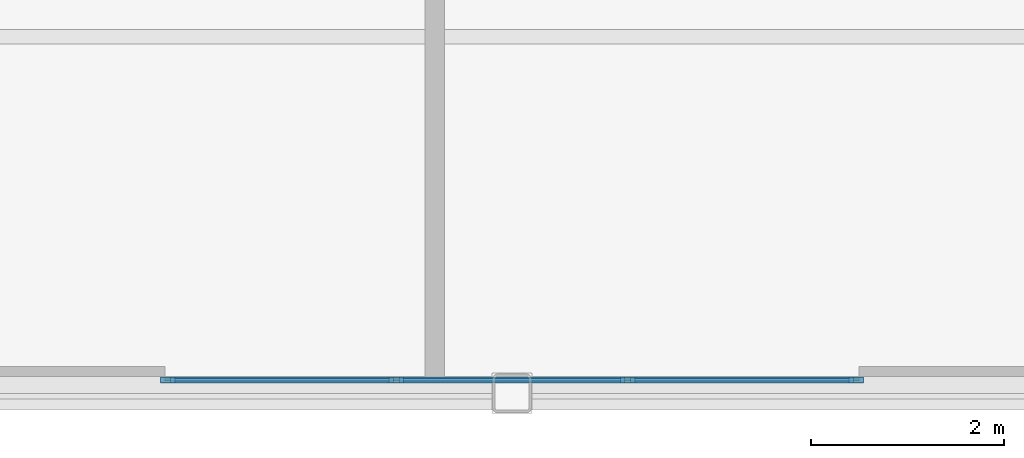
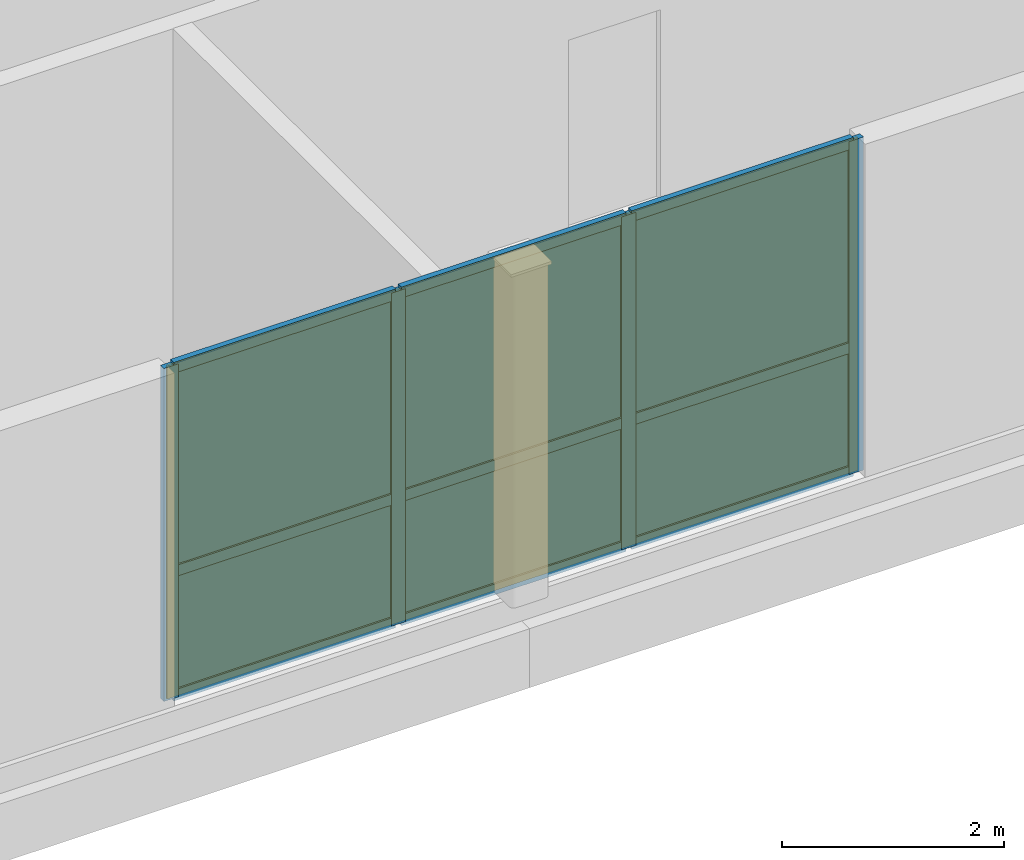
# One storey, part 5 of 7: 13 members, 6 plates, 1 curtain wall.
"""IFC4 building model written with IfcOpenShell, lengths in metres."""

from ifc_helpers import new_model, si_unit, direction, frame, frame_2d, origin, origin_2d, place, context, subcontext, project, spatial, rectangle, extrude, source, transform, mapped, material, layer, layer_set, material_profile, profile_set, type_object, type_shapes, element, aggregate, save


model = new_model("IFC4")

# Units and contexts
model_context = context("Model", 3, precision=1e-05, world=origin(), true_north=direction((0.0, 1.0)))
body_context = subcontext(model_context, "Body", "Model", "MODEL_VIEW")
ifc_project = project(units=[si_unit("LENGTHUNIT", "METRE"), si_unit("AREAUNIT", "SQUARE_METRE"), si_unit("VOLUMEUNIT", "CUBIC_METRE"), si_unit("PLANEANGLEUNIT", "RADIAN"), si_unit("MASSUNIT", "GRAM", prefix="KILO")], contexts=[model_context])

# Member
ifc_material_1 = material(Name="Anodised aluminium 6063-T6", Category="aluminium")
ifc_material_profile_1 = material_profile(ifc_material_1, rectangle(XDim=0.06005859375, YDim=0.14990234375, at=origin_2d()), Name="ALU-MULL-60x150")
ifc_profile_set_1 = profile_set([ifc_material_profile_1], Name="Anodised aluminium 6063-T6")
member_type_1 = type_object("IfcMemberType", Name="CWM-6", PredefinedType="MULLION", material=ifc_profile_set_1)
site_placement = place(None, origin())
building_placement = place(site_placement, origin())
storey_placement = place(building_placement, frame((0.0, 0.0, 307.14990234375)))
member_1_placement = place(storey_placement, frame((-3.570068359375, -16.860107421875, 0.0), z_axis=(0.0, 0.0, 1.0), x_axis=(0.0, 1.0, 0.0)))
member_1 = element("IfcMember", 1, at=member_1_placement, type_object=member_type_1, Name="CWS-6 mullion 1", PredefinedType="MULLION", context=body_context, shape_type="SweptSolid", body=[
    extrude(rectangle(XDim=0.06005859375, YDim=0.14990234375, at=origin_2d()), origin(), (0.0, 0.0, 1.0), 3.670166015625),
])

member_2_placement = place(storey_placement, frame((-1.199951171875, -16.860107421875, 0.0), z_axis=(0.0, 0.0, 1.0), x_axis=(0.0, 1.0, 0.0)))
member_2 = element("IfcMember", 2, at=member_2_placement, type_object=member_type_1, Name="CWS-6 mullion 2", PredefinedType="MULLION", context=body_context, shape_type="SweptSolid", body=[
    extrude(rectangle(XDim=0.06005859375, YDim=0.14990234375, at=origin_2d()), origin(), (0.0, 0.0, 1.0), 3.670166015625),
])

member_3_placement = place(storey_placement, frame((1.199951171875, -16.860107421875, 0.0), z_axis=(0.0, 0.0, 1.0), x_axis=(0.0, 1.0, 0.0)))
member_3 = element("IfcMember", 3, at=member_3_placement, type_object=member_type_1, Name="CWS-6 mullion 3", PredefinedType="MULLION", context=body_context, shape_type="SweptSolid", body=[
    extrude(rectangle(XDim=0.06005859375, YDim=0.14990234375, at=origin_2d()), origin(), (0.0, 0.0, 1.0), 3.670166015625),
])

member_4_placement = place(storey_placement, frame((3.570068359375, -16.860107421875, 0.0), z_axis=(0.0, 0.0, 1.0), x_axis=(0.0, 1.0, 0.0)))
member_4 = element("IfcMember", 4, at=member_4_placement, type_object=member_type_1, Name="CWS-6 mullion 4", PredefinedType="MULLION", context=body_context, shape_type="SweptSolid", body=[
    extrude(rectangle(XDim=0.06005859375, YDim=0.14990234375, at=origin_2d()), origin(), (0.0, 0.0, 1.0), 3.670166015625),
])

ifc_material_profile_2 = material_profile(ifc_material_1, rectangle(XDim=0.06005859375, YDim=0.1201171875, at=origin_2d()), Name="ALU-TRAN-60x120")
ifc_profile_set_2 = profile_set([ifc_material_profile_2], Name="Anodised aluminium 6063-T6")
member_type_2 = type_object("IfcMemberType", Name="CWT-6", PredefinedType="USERDEFINED", material=ifc_profile_set_2)
member_5_placement = place(storey_placement, frame((-3.5400390625, -16.860107421875, 0.030029296875), z_axis=(1.0, 0.0, 0.0), x_axis=(0.0, 1.0, 0.0)))
member_5 = element("IfcMember", 5, at=member_5_placement, type_object=member_type_2, Name="CWS-6 transom 1.1", ObjectType="TRANSOM", PredefinedType="USERDEFINED", context=body_context, shape_type="SweptSolid", body=[
    extrude(rectangle(XDim=0.06005859375, YDim=0.1201171875, at=origin_2d()), origin(), (0.0, 0.0, 1.0), 2.31005859375),
])

member_6_placement = place(storey_placement, frame((-3.5400390625, -16.860107421875, 1.394775390625), z_axis=(1.0, 0.0, 0.0), x_axis=(0.0, 1.0, 0.0)))
member_6 = element("IfcMember", 6, at=member_6_placement, type_object=member_type_2, Name="CWS-6 transom 1.2", ObjectType="TRANSOM", PredefinedType="USERDEFINED", context=body_context, shape_type="SweptSolid", body=[
    extrude(rectangle(XDim=0.06005859375, YDim=0.1201171875, at=origin_2d()), origin(), (0.0, 0.0, 1.0), 2.31005859375),
])

member_7_placement = place(storey_placement, frame((-3.5400390625, -16.860107421875, 3.64013671875), z_axis=(1.0, 0.0, 0.0), x_axis=(0.0, 1.0, 0.0)))
member_7 = element("IfcMember", 7, at=member_7_placement, type_object=member_type_2, Name="CWS-6 transom 1.3", ObjectType="TRANSOM", PredefinedType="USERDEFINED", context=body_context, shape_type="SweptSolid", body=[
    extrude(rectangle(XDim=0.06005859375, YDim=0.1201171875, at=origin_2d()), origin(), (0.0, 0.0, 1.0), 2.31005859375),
])

member_8_placement = place(storey_placement, frame((-1.169921875, -16.860107421875, 0.030029296875), z_axis=(1.0, 0.0, 0.0), x_axis=(0.0, 1.0, 0.0)))
member_8 = element("IfcMember", 8, at=member_8_placement, type_object=member_type_2, Name="CWS-6 transom 2.1", ObjectType="TRANSOM", PredefinedType="USERDEFINED", context=body_context, shape_type="SweptSolid", body=[
    extrude(rectangle(XDim=0.06005859375, YDim=0.1201171875, at=origin_2d()), origin(), (0.0, 0.0, 1.0), 2.33984375),
])

member_9_placement = place(storey_placement, frame((-1.169921875, -16.860107421875, 1.394775390625), z_axis=(1.0, 0.0, 0.0), x_axis=(0.0, 1.0, 0.0)))
member_9 = element("IfcMember", 9, at=member_9_placement, type_object=member_type_2, Name="CWS-6 transom 2.2", ObjectType="TRANSOM", PredefinedType="USERDEFINED", context=body_context, shape_type="SweptSolid", body=[
    extrude(rectangle(XDim=0.06005859375, YDim=0.1201171875, at=origin_2d()), origin(), (0.0, 0.0, 1.0), 2.33984375),
])

member_10_placement = place(storey_placement, frame((-1.169921875, -16.860107421875, 3.64013671875), z_axis=(1.0, 0.0, 0.0), x_axis=(0.0, 1.0, 0.0)))
member_10 = element("IfcMember", 10, at=member_10_placement, type_object=member_type_2, Name="CWS-6 transom 2.3", ObjectType="TRANSOM", PredefinedType="USERDEFINED", context=body_context, shape_type="SweptSolid", body=[
    extrude(rectangle(XDim=0.06005859375, YDim=0.1201171875, at=origin_2d()), origin(), (0.0, 0.0, 1.0), 2.33984375),
])

member_11_placement = place(storey_placement, frame((1.22998046875, -16.860107421875, 0.030029296875), z_axis=(1.0, 0.0, 0.0), x_axis=(0.0, 1.0, 0.0)))
member_11 = element("IfcMember", 11, at=member_11_placement, type_object=member_type_2, Name="CWS-6 transom 3.1", ObjectType="TRANSOM", PredefinedType="USERDEFINED", context=body_context, shape_type="SweptSolid", body=[
    extrude(rectangle(XDim=0.06005859375, YDim=0.1201171875, at=origin_2d()), origin(), (0.0, 0.0, 1.0), 2.31005859375),
])

member_12_placement = place(storey_placement, frame((1.22998046875, -16.860107421875, 1.394775390625), z_axis=(1.0, 0.0, 0.0), x_axis=(0.0, 1.0, 0.0)))
member_12 = element("IfcMember", 12, at=member_12_placement, type_object=member_type_2, Name="CWS-6 transom 3.2", ObjectType="TRANSOM", PredefinedType="USERDEFINED", context=body_context, shape_type="SweptSolid", body=[
    extrude(rectangle(XDim=0.06005859375, YDim=0.1201171875, at=origin_2d()), origin(), (0.0, 0.0, 1.0), 2.31005859375),
])

member_13_placement = place(storey_placement, frame((1.22998046875, -16.860107421875, 3.64013671875), z_axis=(1.0, 0.0, 0.0), x_axis=(0.0, 1.0, 0.0)))
member_13 = element("IfcMember", 13, at=member_13_placement, type_object=member_type_2, Name="CWS-6 transom 3.3", ObjectType="TRANSOM", PredefinedType="USERDEFINED", context=body_context, shape_type="SweptSolid", body=[
    extrude(rectangle(XDim=0.06005859375, YDim=0.1201171875, at=origin_2d()), origin(), (0.0, 0.0, 1.0), 2.31005859375),
])

# Plate
ifc_material_2 = material(Name="Insulated solar-control glass", Category="glass")
ifc_layer_1 = layer(ifc_material_2, 0.02392578125, Name="CWP-6")
ifc_layer_set_1 = layer_set([ifc_layer_1], Name="Insulated solar-control glass")
plate_type = type_object("IfcPlateType", Name="CWP-6", PredefinedType="CURTAIN_PANEL", material=ifc_layer_set_1)
shared_shape_1 = source(origin(), body_context, "Body", "SweptSolid", [
    extrude(rectangle(XDim=2.31005859375, YDim=0.02392578125, at=origin_2d()), origin(), (0.0, 0.0, 1.0), 1.3046875),
])
plate_1_placement = place(storey_placement, frame((-2.385009765625, -16.860107421875, 0.06005859375), z_axis=(0.0, 0.0, 1.0), x_axis=(1.0, 0.0, 0.0)))
plate_1 = element("IfcPlate", 14, at=plate_1_placement, type_object=plate_type, Name="CWS-6 panel 1.1", PredefinedType="CURTAIN_PANEL", context=body_context, shape_type="MappedRepresentation", body=[
    mapped(shared_shape_1, transform((0.0, 0.0, 0.0), scale=1.0)),
])

plate_2_placement = place(storey_placement, frame((2.385009765625, -16.860107421875, 0.06005859375), z_axis=(0.0, 0.0, 1.0), x_axis=(1.0, 0.0, 0.0)))
plate_2 = element("IfcPlate", 15, at=plate_2_placement, type_object=plate_type, Name="CWS-6 panel 3.1", PredefinedType="CURTAIN_PANEL", context=body_context, shape_type="MappedRepresentation", body=[
    mapped(shared_shape_1, transform((0.0, 0.0, 0.0), scale=1.0)),
])

shared_shape_2 = source(origin(), body_context, "Body", "SweptSolid", [
    extrude(rectangle(XDim=2.31005859375, YDim=0.02392578125, at=origin_2d()), origin(), (0.0, 0.0, 1.0), 2.185302734375),
])
plate_3_placement = place(storey_placement, frame((-2.385009765625, -16.860107421875, 1.4248046875), z_axis=(0.0, 0.0, 1.0), x_axis=(1.0, 0.0, 0.0)))
plate_3 = element("IfcPlate", 16, at=plate_3_placement, type_object=plate_type, Name="CWS-6 panel 1.2", PredefinedType="CURTAIN_PANEL", context=body_context, shape_type="MappedRepresentation", body=[
    mapped(shared_shape_2, transform((0.0, 0.0, 0.0), scale=1.0)),
])

plate_4_placement = place(storey_placement, frame((2.385009765625, -16.860107421875, 1.4248046875), z_axis=(0.0, 0.0, 1.0), x_axis=(1.0, 0.0, 0.0)))
plate_4 = element("IfcPlate", 17, at=plate_4_placement, type_object=plate_type, Name="CWS-6 panel 3.2", PredefinedType="CURTAIN_PANEL", context=body_context, shape_type="MappedRepresentation", body=[
    mapped(shared_shape_2, transform((0.0, 0.0, 0.0), scale=1.0)),
])

shared_shape_3 = source(origin(), body_context, "Body", "SweptSolid", [
    extrude(rectangle(XDim=2.340087890625, YDim=0.02392578125, at=origin_2d()), origin(), (0.0, 0.0, 1.0), 1.3046875),
])
plate_5_placement = place(storey_placement, frame((0.0, -16.860107421875, 0.06005859375), z_axis=(0.0, 0.0, 1.0), x_axis=(1.0, 0.0, 0.0)))
plate_5 = element("IfcPlate", 18, at=plate_5_placement, type_object=plate_type, Name="CWS-6 panel 2.1", PredefinedType="CURTAIN_PANEL", context=body_context, shape_type="MappedRepresentation", body=[
    mapped(shared_shape_3, transform((0.0, 0.0, 0.0), scale=1.0)),
])

shared_shape_4 = source(origin(), body_context, "Body", "SweptSolid", [
    extrude(rectangle(XDim=2.340087890625, YDim=0.02392578125, at=origin_2d()), origin(), (0.0, 0.0, 1.0), 2.185302734375),
])
type_shapes(plate_type, [shared_shape_1, shared_shape_2, shared_shape_3, shared_shape_4])
plate_6_placement = place(storey_placement, frame((0.0, -16.860107421875, 1.4248046875), z_axis=(0.0, 0.0, 1.0), x_axis=(1.0, 0.0, 0.0)))
plate_6 = element("IfcPlate", 19, at=plate_6_placement, type_object=plate_type, Name="CWS-6 panel 2.2", PredefinedType="CURTAIN_PANEL", context=body_context, shape_type="MappedRepresentation", body=[
    mapped(shared_shape_4, transform((0.0, 0.0, 0.0), scale=1.0)),
])

# Site, building, storey
site = spatial("IfcSite", under=ifc_project, at=site_placement, CompositionType="ELEMENT")
building = spatial("IfcBuilding", under=site, at=building_placement, Name="Nuvemarco Arch Tower", CompositionType="ELEMENT")
storey = spatial("IfcBuildingStorey", under=building, at=storey_placement, Name="L81", CompositionType="ELEMENT", Elevation=307.14990234375)

# Curtain wall
ifc_layer_2 = layer(ifc_material_2, 0.14990234375, Name="CW-SYS-6")
ifc_layer_set_2 = layer_set([ifc_layer_2], Name="Insulated solar-control glass")
curtain_wall_type = type_object("IfcCurtainWallType", Name="CW-SYS-6", PredefinedType="NOTDEFINED", material=ifc_layer_set_2)
curtain_wall_placement = place(storey_placement, frame((-3.60009765625, -16.860107421875, 0.0), z_axis=(0.0, 0.0, 1.0), x_axis=(1.0, 0.0, 0.0)))
curtain_wall = element("IfcCurtainWall", 20, at=curtain_wall_placement, inside=storey, type_object=curtain_wall_type, Name="L81 curtain wall CWS-6", PredefinedType="NOTDEFINED", context=body_context, shape_type="SweptSolid", body=[
    extrude(rectangle(XDim=7.2001953125, YDim=0.02001953125, at=frame_2d((3.60009765625, 0.0))), origin(), (0.0, 0.0, 1.0), 3.670166015625),
])

aggregate(curtain_wall, [member_1, member_2, member_3, member_4, member_5, member_6, member_7, plate_1, plate_3, member_8, member_9, member_10, plate_5, plate_6, member_11, member_12, member_13, plate_2, plate_4])

save(model, "model.ifc")
